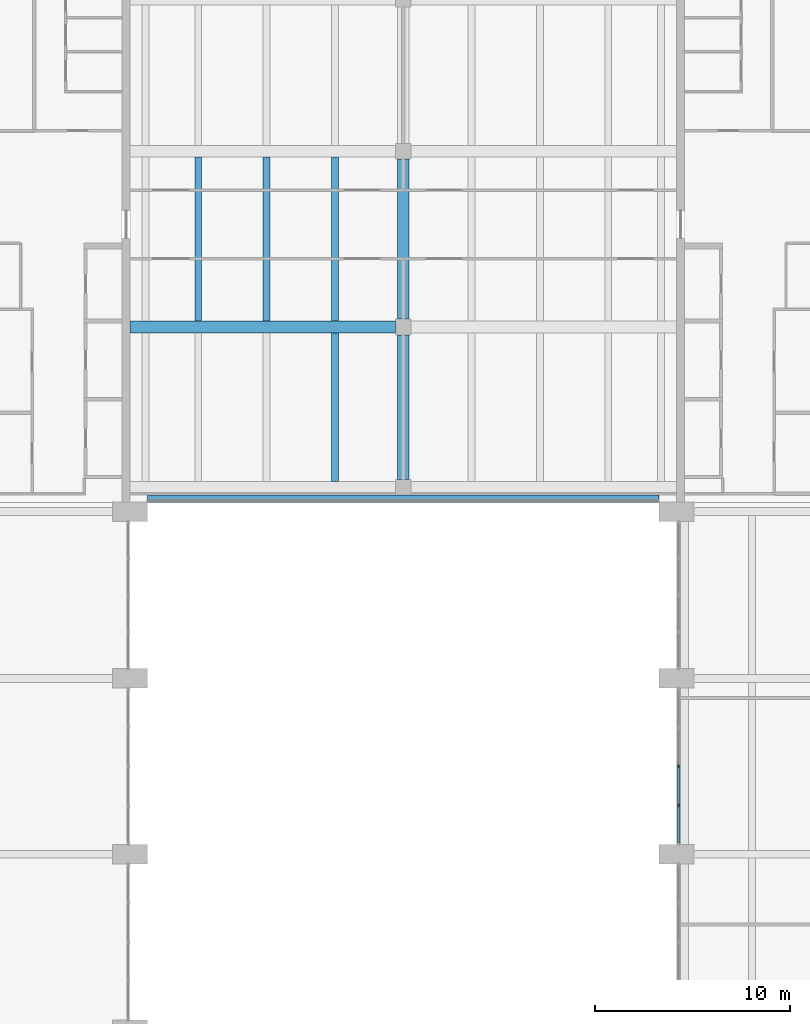
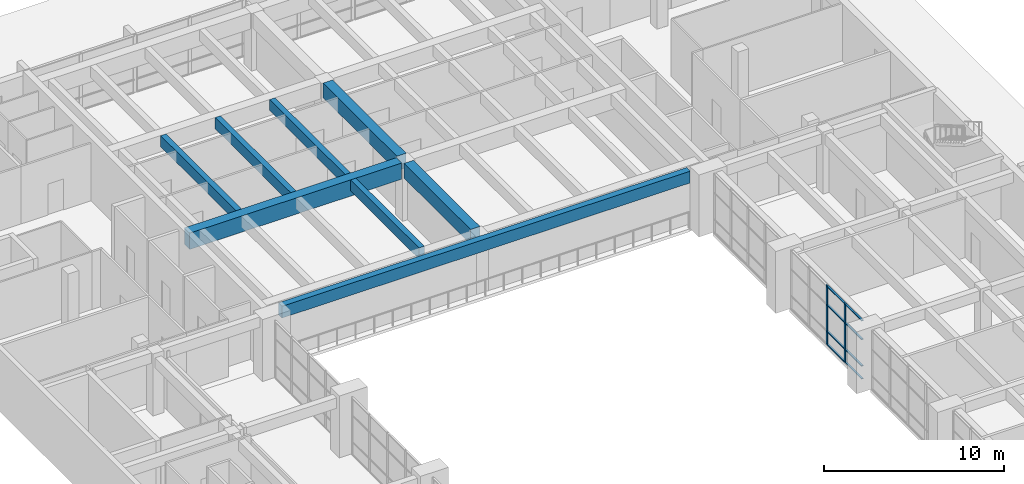
# One storey, part 12 of 45: 10 members, 8 beams, 1 element without a shape of its own.
"""IFC4 building model written with IfcOpenShell, lengths in metres."""

import ifcopenshell
import ifcopenshell.guid

model = None  # the IFC model being written
_history = None  # IfcOwnerHistory: only IFC2X3 demands one
_inside = {}  # id of a spatial element -> (the spatial element, [elements in it])
_under = {}  # id of a project, library or spatial element -> (it, [spatial elements below it])
_declared = {}  # id of a project -> (the project, [libraries it declares])
_typed = {}  # id of a type object -> (the type object, [elements of that type])
_made_of = {}  # id of a material, layer set ... -> (it, [elements and type objects made of it])


def new_model(schema):
    """Start an empty IFC model of exactly this schema.

    Asked for "IFC4X3", IfcOpenShell would pick the latest addendum, in which some entities
    have other attributes; the version numbers below select the first issue.
    IFC2X3 requires an IfcOwnerHistory on every rooted entity: one is made here for all.
    """
    global model, _history
    if schema == "IFC4X3":
        model = ifcopenshell.file(schema_version=(4, 3, 0, 0))
    else:
        model = ifcopenshell.file(schema=schema)
    _inside.clear()
    _under.clear()
    _declared.clear()
    _typed.clear()
    _made_of.clear()
    _history = None
    if model.schema == "IFC2X3":
        org = make("IfcOrganization", Name="unknown")
        user = make(
            "IfcPersonAndOrganization",
            ThePerson=make("IfcPerson", FamilyName="unknown"),
            TheOrganization=org,
        )
        app = make(
            "IfcApplication",
            ApplicationDeveloper=org,
            Version="unknown",
            ApplicationFullName="unknown",
            ApplicationIdentifier="unknown",
        )
        _history = make(
            "IfcOwnerHistory",
            OwningUser=user,
            OwningApplication=app,
            ChangeAction="ADDED",
            CreationDate=0,
        )
    return model


def make(cls, **values):
    """One entity of the class cls with the attributes given. An attribute that is None is left unset."""
    return model.create_entity(
        cls, **{name: value for name, value in values.items() if value is not None}
    )


def rooted(cls, **values):
    """An entity with a GlobalId (a new one), such as an element, a storey or a relation."""
    return make(cls, GlobalId=ifcopenshell.guid.new(), OwnerHistory=_history, **values)


def si_unit(unit_type, name, prefix=None):
    """IfcSIUnit, for example si_unit("LENGTHUNIT", "METRE", prefix="MILLI")."""
    return make("IfcSIUnit", UnitType=unit_type, Prefix=prefix, Name=name)


def assignment(units):
    """IfcUnitAssignment: the units of a project."""
    return None if units is None else make("IfcUnitAssignment", Units=units)


def point(xyz):
    """IfcCartesianPoint."""
    return None if xyz is None else make("IfcCartesianPoint", Coordinates=xyz)


def direction(xyz):
    """IfcDirection."""
    return None if xyz is None else make("IfcDirection", DirectionRatios=xyz)


def frame(location, z_axis=None, x_axis=None):
    """IfcAxis2Placement3D, a coordinate frame: its origin and axes. An axis left out is left unset."""
    return make(
        "IfcAxis2Placement3D",
        Location=point(location),
        Axis=direction(z_axis),
        RefDirection=direction(x_axis),
    )


def frame_2d(location, x_axis=None):
    """IfcAxis2Placement2D, a coordinate frame in the plane: its origin and x axis."""
    return make(
        "IfcAxis2Placement2D", Location=point(location), RefDirection=direction(x_axis)
    )


def origin():
    """The frame at (0, 0, 0) with its axes left unset."""
    return frame((0.0, 0.0, 0.0))


def origin_2d():
    """The frame at (0, 0) in the plane with its x axis left unset."""
    return frame_2d((0.0, 0.0))


def place(relative_to, where):
    """IfcLocalPlacement: puts the frame where relative to a parent placement (None: the world)."""
    return make(
        "IfcLocalPlacement", PlacementRelTo=relative_to, RelativePlacement=where
    )


def context(
    kind, dimensions, precision=None, world=None, true_north=None, identifier=None
):
    """IfcGeometricRepresentationContext, for example the 3D "Model" context."""
    return make(
        "IfcGeometricRepresentationContext",
        ContextIdentifier=identifier,
        ContextType=kind,
        CoordinateSpaceDimension=dimensions,
        Precision=precision,
        WorldCoordinateSystem=world,
        TrueNorth=true_north,
    )


def subcontext(parent, identifier, kind, view, scale=None):
    """IfcGeometricRepresentationSubContext, for example "Body" below "Model"."""
    return make(
        "IfcGeometricRepresentationSubContext",
        ContextIdentifier=identifier,
        ContextType=kind,
        ParentContext=parent,
        TargetScale=scale,
        TargetView=view,
    )


def project(units=None, contexts=None):
    """IfcProject with its units and contexts."""
    return rooted(
        "IfcProject",
        Name="project",
        RepresentationContexts=contexts,
        UnitsInContext=assignment(units),
    )


def spatial(cls, under=None, at=None, **own):
    """A site, building, storey or space (cls), placed at a placement, below another one or the project."""
    s = rooted(cls, ObjectPlacement=at, **own)
    if under is not None:
        _under.setdefault(under.id(), (under, []))[1].append(s)
    return s


def profile(cls, at=None, kind="AREA", **sizes):
    """A parametric profile (cls). Its sizes go by their IFC names, for example OverallWidth=200.0."""
    return make(cls, ProfileType=kind, Position=at, **sizes)


def rectangle(**sizes):
    """IfcRectangleProfileDef."""
    return profile("IfcRectangleProfileDef", **sizes)


def extrude(swept, where, along, depth):
    """IfcExtrudedAreaSolid: the profile swept, set in the frame where, extruded along a direction by depth."""
    return make(
        "IfcExtrudedAreaSolid",
        SweptArea=swept,
        Position=where,
        ExtrudedDirection=direction(along),
        Depth=depth,
    )


def shape(context_of_items, identifier, shape_type, items):
    """IfcShapeRepresentation: the items that make up one representation, for example the "Body"."""
    return make(
        "IfcShapeRepresentation",
        ContextOfItems=context_of_items,
        RepresentationIdentifier=identifier,
        RepresentationType=shape_type,
        Items=items,
    )


def material(Name=None, Category=None):
    """IfcMaterial."""
    return make("IfcMaterial", Name=Name, Category=Category)


def material_profile(
    of_material, cross_section, Name=None, Category=None, Priority=None
):
    """IfcMaterialProfile: a cross section and its material."""
    return make(
        "IfcMaterialProfile",
        Name=Name,
        Material=of_material,
        Profile=cross_section,
        Priority=Priority,
        Category=Category,
    )


def profile_set(profiles, Name=None, composite=None):
    """IfcMaterialProfileSet."""
    return make(
        "IfcMaterialProfileSet",
        Name=Name,
        MaterialProfiles=profiles,
        CompositeProfile=composite,
    )


def made_of(thing, what):
    """Note that an element or type object is made of a material, layer set ...; save() writes the relation."""
    if what is not None:
        _made_of.setdefault(what.id(), (what, []))[1].append(thing)
    return thing


def type_object(cls, material=None, **own):
    """A type object (cls), such as IfcWallType, which elements share."""
    return made_of(rooted(cls, **own), material)


def element(
    cls,
    number,
    at=None,
    inside=None,
    cuts=None,
    type_object=None,
    material=None,
    context=None,
    identifier="Body",
    shape_type=None,
    held_by="IfcProductDefinitionShape",
    body=None,
    shapes=None,
    **own,
):
    """One element of the class cls, such as IfcWall. Its Tag is "e" and its number.

    at: its placement. inside: the storey or other place that contains it. cuts: it is an
    opening in that element (IfcRelVoidsElement). A single representation is given by context,
    identifier, shape_type and body (its items); several are given by shapes. held_by: the class
    of the entity that holds the representations. save() writes the other relations.
    """
    e = rooted(cls, Tag="e%d" % number, ObjectPlacement=at, **own)
    if body is not None:
        shapes = [shape(context, identifier, shape_type, body)]
    if shapes is not None:
        e.Representation = make(held_by, Representations=shapes)
    if inside is not None:
        _inside.setdefault(inside.id(), (inside, []))[1].append(e)
    if cuts is not None:
        rooted(
            "IfcRelVoidsElement", RelatingBuildingElement=cuts, RelatedOpeningElement=e
        )
    if type_object is not None:
        _typed.setdefault(type_object.id(), (type_object, []))[1].append(e)
    return made_of(e, material)


def aggregate(whole, parts):
    """IfcRelAggregates: a whole, such as a stair, and the parts it consists of."""
    return rooted("IfcRelAggregates", RelatingObject=whole, RelatedObjects=parts)


def save(model, path):
    """Write the relations noted so far, then the file.

    IfcRelAggregates (storeys below a building ...), IfcRelContainedInSpatialStructure (elements
    in a storey), IfcRelDefinesByType, IfcRelAssociatesMaterial and IfcRelDeclares: one each for
    every whole, place, type object, material and project.
    """
    for whole, parts in _under.values():
        aggregate(whole, parts)
    for where, things in _inside.values():
        rooted(
            "IfcRelContainedInSpatialStructure",
            RelatedElements=things,
            RelatingStructure=where,
        )
    for kind, things in _typed.values():
        rooted("IfcRelDefinesByType", RelatedObjects=things, RelatingType=kind)
    for what, things in _made_of.values():
        rooted("IfcRelAssociatesMaterial", RelatedObjects=things, RelatingMaterial=what)
    for by, libraries in _declared.values():
        rooted("IfcRelDeclares", RelatingContext=by, RelatedDefinitions=libraries)
    model.write(path)


model = new_model("IFC4")

# Units and contexts
model_context = context("Model", 3, precision=1e-05, world=origin(), true_north=direction((0.0, 1.0)))
body_context = subcontext(model_context, "Body", "Model", "MODEL_VIEW")
ifc_project = project(units=[si_unit("LENGTHUNIT", "METRE"), si_unit("AREAUNIT", "SQUARE_METRE"), si_unit("VOLUMEUNIT", "CUBIC_METRE"), si_unit("PLANEANGLEUNIT", "RADIAN"), si_unit("MASSUNIT", "GRAM", prefix="KILO")], contexts=[model_context])

# Site, building, storey
site_placement = place(None, origin())
site = spatial("IfcSite", under=ifc_project, at=site_placement, CompositionType="ELEMENT")
building_placement = place(site_placement, origin())
building = spatial("IfcBuilding", under=site, at=building_placement, Name="Elmora Arch Market Hall", CompositionType="ELEMENT")
storey_placement = place(building_placement, frame((0.0, 0.0, 6.0)))
storey = spatial("IfcBuildingStorey", under=building, at=storey_placement, Name="L01", CompositionType="ELEMENT", Elevation=6.0)

# Beams
ifc_material_1 = material(Name="Concrete C32/40", Category="concrete")
ifc_material_profile_1 = material_profile(ifc_material_1, rectangle(XDim=0.60009765625, YDim=1.10009765625, at=origin_2d()), Name="Bridge girder 600x1100")
ifc_profile_set_1 = profile_set([ifc_material_profile_1], Name="Concrete C32/40")
beam_type_1 = type_object("IfcBeamType", Name="Bridge girder 600x1100", PredefinedType="BEAM", material=ifc_profile_set_1)
beam_1_placement = place(storey_placement, frame((15.0, 108.0, 3.35009765625), z_axis=(1.0, 0.0, 0.0), x_axis=(0.0, 1.0, 0.0)))
element("IfcBeam", 1, at=beam_1_placement, inside=storey, type_object=beam_type_1, Name="Bridge girder NR2 L01.1", PredefinedType="BEAM", context=body_context, shape_type="SweptSolid", body=[
    extrude(rectangle(XDim=0.60009765625, YDim=1.10009765625, at=origin_2d()), origin(), (0.0, 0.0, 1.0), 13.60009765625),
])
ifc_material_2 = material(Name="Concrete C32/40", Category="concrete")
ifc_material_profile_2 = material_profile(ifc_material_2, rectangle(XDim=0.35009765625, YDim=0.75, at=origin_2d()), Name="Bridge joist 350x750")
ifc_profile_set_2 = profile_set([ifc_material_profile_2], Name="Concrete C32/40")
beam_type_2 = type_object("IfcBeamType", Name="Bridge joist 350x750", PredefinedType="JOIST", material=ifc_profile_set_2)
for number, where, z_axis, x_axis, name in (
    (2, (18.5, 108.300048828125, 3.52490234375), (0.0, 1.0, 0.0), (-1.0, 0.0, 0.0), "Bridge joist NJ2 L01.2"),
    (3, (22.0, 108.300048828125, 3.52490234375), (0.0, 1.0, 0.0), (-1.0, 0.0, 0.0), "Bridge joist NJ3 L01.2"),
):
    element("IfcBeam", number, at=place(storey_placement, frame(where, z_axis=z_axis, x_axis=x_axis)), inside=storey, type_object=beam_type_2, Name=name, PredefinedType="JOIST", context=body_context, shape_type="SweptSolid", body=[
        extrude(rectangle(XDim=0.35009765625, YDim=0.75, at=origin_2d()), origin(), (0.0, 0.0, 1.0), 8.39990234375),
    ])
beam_2_placement = place(storey_placement, frame((25.5, 100.10009765625, 3.52490234375), z_axis=(0.0, 1.0, 0.0), x_axis=(-1.0, 0.0, 0.0)))
element("IfcBeam", 4, at=beam_2_placement, inside=storey, type_object=beam_type_2, Name="Bridge joist NJ4 L01.1", PredefinedType="JOIST", context=body_context, shape_type="SweptSolid", body=[
    extrude(rectangle(XDim=0.35009765625, YDim=0.75, at=origin_2d()), origin(), (0.0, 0.0, 1.0), 7.599853515625),
])
beam_3_placement = place(storey_placement, frame((25.5, 108.300048828125, 3.52490234375), z_axis=(0.0, 1.0, 0.0), x_axis=(-1.0, 0.0, 0.0)))
element("IfcBeam", 5, at=beam_3_placement, inside=storey, type_object=beam_type_2, Name="Bridge joist NJ4 L01.2", PredefinedType="JOIST", context=body_context, shape_type="SweptSolid", body=[
    extrude(rectangle(XDim=0.35009765625, YDim=0.75, at=origin_2d()), origin(), (0.0, 0.0, 1.0), 8.39990234375),
])

# Curtain wall, members
ifc_material_3 = material(Name="Aluminium", Category="aluminium")
curtain_wall_type = type_object("IfcCurtainWallType", Name="Hall front curtain wall", PredefinedType="NOTDEFINED", material=ifc_material_3)
curtain_wall_placement = place(storey_placement, origin())
curtain_wall = element("IfcCurtainWall", 6, at=curtain_wall_placement, inside=storey, type_object=curtain_wall_type, Name="Wing front E L01 7", PredefinedType="NOTDEFINED")
ifc_material_4 = material(Name="Aluminium", Category="aluminium")
ifc_material_profile_3 = material_profile(ifc_material_4, rectangle(XDim=0.080078125, YDim=0.179931640625, at=origin_2d()), Name="AL 80x180")
ifc_profile_set_3 = profile_set([ifc_material_profile_3], Name="Aluminium")
member_type_1 = type_object("IfcMemberType", Name="Mullion 80x180", PredefinedType="MULLION", material=ifc_profile_set_3)
member_1_placement = place(storey_placement, frame((43.10009765625, 83.5, 0.0), z_axis=(0.0, 0.0, 1.0), x_axis=(-1.0, 0.0, 0.0)))
member_1 = element("IfcMember", 7, at=member_1_placement, type_object=member_type_1, Name="CW2 mullion 2", PredefinedType="MULLION", context=body_context, shape_type="SweptSolid", body=[
    extrude(rectangle(XDim=0.080078125, YDim=0.179931640625, at=origin_2d()), origin(), (0.0, 0.0, 1.0), 4.0),
])
member_2_placement = place(storey_placement, frame((43.10009765625, 85.5, 0.0), z_axis=(0.0, 0.0, 1.0), x_axis=(-1.0, 0.0, 0.0)))
member_2 = element("IfcMember", 8, at=member_2_placement, type_object=member_type_1, Name="CW2 mullion 3", PredefinedType="MULLION", context=body_context, shape_type="SweptSolid", body=[
    extrude(rectangle(XDim=0.080078125, YDim=0.179931640625, at=origin_2d()), origin(), (0.0, 0.0, 1.0), 4.0),
])

# Beams
ifc_material_5 = material(Name="Concrete C32/40", Category="concrete")
ifc_material_profile_4 = material_profile(ifc_material_5, rectangle(XDim=0.39990234375, YDim=0.800048828125, at=origin_2d()), Name="Roof edge beam 400x800")
ifc_profile_set_4 = profile_set([ifc_material_profile_4], Name="Concrete C32/40")
beam_type_3 = type_object("IfcBeamType", Name="Roof edge beam 400x800", PredefinedType="BEAM", material=ifc_profile_set_4)
beam_4_placement = place(storey_placement, frame((15.89990234375, 99.199951171875, 3.5), z_axis=(1.0, 0.0, 0.0), x_axis=(0.0, 1.0, 0.0)))
element("IfcBeam", 9, at=beam_4_placement, inside=storey, type_object=beam_type_3, Name="Roof edge beam NRE L01.1", PredefinedType="BEAM", context=body_context, shape_type="SweptSolid", body=[
    extrude(rectangle(XDim=0.39990234375, YDim=0.800048828125, at=origin_2d()), origin(), (0.0, 0.0, 1.0), 26.2001953125),
])
ifc_material_6 = material(Name="Concrete C32/40", Category="concrete")
ifc_material_profile_5 = material_profile(ifc_material_6, rectangle(XDim=0.60009765625, YDim=1.0, at=origin_2d()), Name="Spine girder 600x1000")
ifc_profile_set_5 = profile_set([ifc_material_profile_5], Name="Concrete C32/40")
beam_type_4 = type_object("IfcBeamType", Name="Spine girder 600x1000", PredefinedType="BEAM", material=ifc_profile_set_5)
beam_5_placement = place(storey_placement, frame((29.0, 100.199951171875, 3.39990234375), z_axis=(0.0, 1.0, 0.0), x_axis=(-1.0, 0.0, 0.0)))
element("IfcBeam", 10, at=beam_5_placement, inside=storey, type_object=beam_type_4, Name="Spine girder NSP L01.1", PredefinedType="BEAM", context=body_context, shape_type="SweptSolid", body=[
    extrude(rectangle(XDim=0.60009765625, YDim=1.0, at=origin_2d()), origin(), (0.0, 0.0, 1.0), 7.400146484375),
])
beam_6_placement = place(storey_placement, frame((29.0, 108.39990234375, 3.39990234375), z_axis=(0.0, 1.0, 0.0), x_axis=(-1.0, 0.0, 0.0)))
element("IfcBeam", 11, at=beam_6_placement, inside=storey, type_object=beam_type_4, Name="Spine girder NSP L01.2", PredefinedType="BEAM", context=body_context, shape_type="SweptSolid", body=[
    extrude(rectangle(XDim=0.60009765625, YDim=1.0, at=origin_2d()), origin(), (0.0, 0.0, 1.0), 8.2001953125),
])

# Member
ifc_material_7 = material(Name="Aluminium", Category="aluminium")
ifc_material_profile_6 = material_profile(ifc_material_7, rectangle(XDim=0.1201171875, YDim=0.06005859375, at=origin_2d()), Name="AL 120x60")
ifc_profile_set_6 = profile_set([ifc_material_profile_6], Name="Aluminium")
member_type_2 = type_object("IfcMemberType", Name="Transom 120x60", PredefinedType="USERDEFINED", material=ifc_profile_set_6)
member_3_placement = place(storey_placement, frame((43.10009765625, 81.580078125, 0.030029296875), z_axis=(0.0, 1.0, 0.0), x_axis=(-1.0, 0.0, 0.0)))
member_3 = element("IfcMember", 12, at=member_3_placement, type_object=member_type_2, Name="CW2 transom 1.1", ObjectType="TRANSOM", PredefinedType="USERDEFINED", context=body_context, shape_type="SweptSolid", body=[
    extrude(rectangle(XDim=0.1201171875, YDim=0.06005859375, at=origin_2d()), origin(), (0.0, 0.0, 1.0), 1.8798828125),
])

member_4_placement = place(storey_placement, frame((43.10009765625, 81.580078125, 0.89990234375), z_axis=(0.0, 1.0, 0.0), x_axis=(-1.0, 0.0, 0.0)))
member_4 = element("IfcMember", 13, at=member_4_placement, type_object=member_type_2, Name="CW2 transom 1.2", ObjectType="TRANSOM", PredefinedType="USERDEFINED", context=body_context, shape_type="SweptSolid", body=[
    extrude(rectangle(XDim=0.1201171875, YDim=0.06005859375, at=origin_2d()), origin(), (0.0, 0.0, 1.0), 1.8798828125),
])

member_5_placement = place(storey_placement, frame((43.10009765625, 81.580078125, 2.699951171875), z_axis=(0.0, 1.0, 0.0), x_axis=(-1.0, 0.0, 0.0)))
member_5 = element("IfcMember", 14, at=member_5_placement, type_object=member_type_2, Name="CW2 transom 1.3", ObjectType="TRANSOM", PredefinedType="USERDEFINED", context=body_context, shape_type="SweptSolid", body=[
    extrude(rectangle(XDim=0.1201171875, YDim=0.06005859375, at=origin_2d()), origin(), (0.0, 0.0, 1.0), 1.8798828125),
])

member_6_placement = place(storey_placement, frame((43.10009765625, 81.580078125, 3.969970703125), z_axis=(0.0, 1.0, 0.0), x_axis=(-1.0, 0.0, 0.0)))
member_6 = element("IfcMember", 15, at=member_6_placement, type_object=member_type_2, Name="CW2 transom 1.4", ObjectType="TRANSOM", PredefinedType="USERDEFINED", context=body_context, shape_type="SweptSolid", body=[
    extrude(rectangle(XDim=0.1201171875, YDim=0.06005859375, at=origin_2d()), origin(), (0.0, 0.0, 1.0), 1.8798828125),
])

member_7_placement = place(storey_placement, frame((43.10009765625, 83.5400390625, 0.030029296875), z_axis=(0.0, 1.0, 0.0), x_axis=(-1.0, 0.0, 0.0)))
member_7 = element("IfcMember", 16, at=member_7_placement, type_object=member_type_2, Name="CW2 transom 2.1", ObjectType="TRANSOM", PredefinedType="USERDEFINED", context=body_context, shape_type="SweptSolid", body=[
    extrude(rectangle(XDim=0.1201171875, YDim=0.06005859375, at=origin_2d()), origin(), (0.0, 0.0, 1.0), 1.919921875),
])

member_8_placement = place(storey_placement, frame((43.10009765625, 83.5400390625, 0.89990234375), z_axis=(0.0, 1.0, 0.0), x_axis=(-1.0, 0.0, 0.0)))
member_8 = element("IfcMember", 17, at=member_8_placement, type_object=member_type_2, Name="CW2 transom 2.2", ObjectType="TRANSOM", PredefinedType="USERDEFINED", context=body_context, shape_type="SweptSolid", body=[
    extrude(rectangle(XDim=0.1201171875, YDim=0.06005859375, at=origin_2d()), origin(), (0.0, 0.0, 1.0), 1.919921875),
])

member_9_placement = place(storey_placement, frame((43.10009765625, 83.5400390625, 2.699951171875), z_axis=(0.0, 1.0, 0.0), x_axis=(-1.0, 0.0, 0.0)))
member_9 = element("IfcMember", 18, at=member_9_placement, type_object=member_type_2, Name="CW2 transom 2.3", ObjectType="TRANSOM", PredefinedType="USERDEFINED", context=body_context, shape_type="SweptSolid", body=[
    extrude(rectangle(XDim=0.1201171875, YDim=0.06005859375, at=origin_2d()), origin(), (0.0, 0.0, 1.0), 1.919921875),
])

member_10_placement = place(storey_placement, frame((43.10009765625, 83.5400390625, 3.969970703125), z_axis=(0.0, 1.0, 0.0), x_axis=(-1.0, 0.0, 0.0)))
member_10 = element("IfcMember", 19, at=member_10_placement, type_object=member_type_2, Name="CW2 transom 2.4", ObjectType="TRANSOM", PredefinedType="USERDEFINED", context=body_context, shape_type="SweptSolid", body=[
    extrude(rectangle(XDim=0.1201171875, YDim=0.06005859375, at=origin_2d()), origin(), (0.0, 0.0, 1.0), 1.919921875),
])

aggregate(curtain_wall, [member_1, member_2, member_3, member_4, member_5, member_6, member_7, member_8, member_9, member_10])

save(model, "model.ifc")
